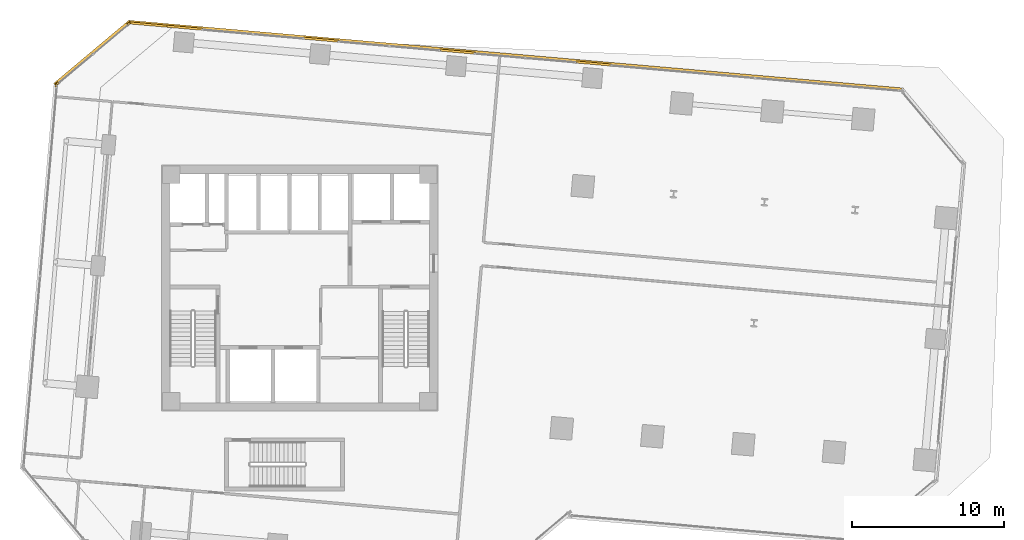
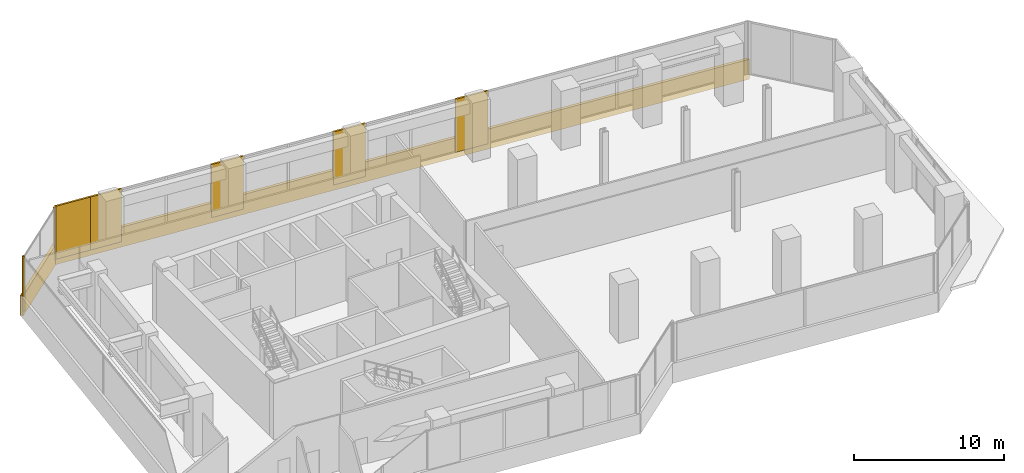
# One storey, part 24 of 24: 10 coverings.
"""IFC4 building model written with IfcOpenShell, lengths in metres."""

from ifc_helpers import new_model, si_unit, direction, frame, origin, origin_2d, place, context, subcontext, project, spatial, rectangle, extrude, source, transform, mapped, material, layer, layer_set, type_object, element, save


model = new_model("IFC4")

# Units and contexts
model_context = context("Model", 3, precision=1e-05, world=origin(), true_north=direction((0.0, 1.0)))
body_context = subcontext(model_context, "Body", "Model", "MODEL_VIEW")
ifc_project = project(units=[si_unit("LENGTHUNIT", "METRE"), si_unit("AREAUNIT", "SQUARE_METRE"), si_unit("VOLUMEUNIT", "CUBIC_METRE"), si_unit("PLANEANGLEUNIT", "RADIAN"), si_unit("MASSUNIT", "GRAM", prefix="KILO")], contexts=[model_context])

# Site, building, storey
site_placement = place(None, origin())
site = spatial("IfcSite", under=ifc_project, at=site_placement, CompositionType="ELEMENT")
building_placement = place(site_placement, origin())
building = spatial("IfcBuilding", under=site, at=building_placement, Name="Torre Montelarca", CompositionType="ELEMENT")
storey_placement = place(building_placement, frame((0.0, 0.0, 47.199951171875)))
storey = spatial("IfcBuildingStorey", under=building, at=storey_placement, Name="L10", CompositionType="ELEMENT", Elevation=47.199951171875)

# Coverings
ifc_material = material(Name="Bush-hammered warm white precast concrete C45/55", Category="concrete")
ifc_layer = layer(ifc_material, 0.139892578125, Name="Bush-hammered warm white precast concrete C45/55", Category="concrete")
ifc_layer_set = layer_set([ifc_layer], Name="Bush-hammered warm white precast concrete C45/55")
covering_type = type_object("IfcCoveringType", Name="COV-TRAY-CLAD", PredefinedType="CLADDING", material=ifc_layer_set)
shared_shape_1 = source(origin(), body_context, "Body", "SweptSolid", [
    extrude(rectangle(XDim=2.360107421875, YDim=0.139892578125, at=origin_2d()), origin(), (0.0, 0.0, 1.0), 4.320068359375),
])
for number, where, z_axis, x_axis, name in (
    (1, (37.348876953125, 46.784912109375, 0.0), (0.0, 0.0, 1.0), (-0.996194545975, 0.087157481435, 0.0), "L10 Architectural Column Pier Cladding E08-2"),
    (2, (28.38330078125, 47.5693359375, 0.0), (0.0, 0.0, 1.0), (-0.996194545975, 0.087157481435, 0.0), "L10 Architectural Column Pier Cladding E08-3"),
    (3, (19.41748046875, 48.353759765625, 0.0), (0.0, 0.0, 1.0), (-0.996194545975, 0.087157481435, 0.0), "L10 Architectural Column Pier Cladding E08-4"),
    (4, (10.45166015625, 49.13818359375, 0.0), (0.0, 0.0, 1.0), (-0.996194545975, 0.087157481435, 0.0), "L10 Architectural Column Pier Cladding E08-5"),
):
    element("IfcCovering", number, at=place(storey_placement, frame(where, z_axis=z_axis, x_axis=x_axis)), inside=storey, type_object=covering_type, Name=name, PredefinedType="CLADDING", context=body_context, shape_type="MappedRepresentation", body=[
        mapped(shared_shape_1, transform((0.0, 0.0, 0.0), scale=1.0)),
    ])
shared_shape_2 = source(origin(), body_context, "Body", "SweptSolid", [
    extrude(rectangle(XDim=0.199951171875, YDim=0.139892578125, at=origin_2d()), origin(), (0.0, 0.0, 1.0), 4.320068359375),
])
for number, where, z_axis, x_axis, name in (
    (5, (6.74267578125, 49.406982421875, 0.0), (0.0, 0.0, 1.0), (-0.76603883371, -0.642794294661, 0.0), "L10 Architectural Column Pier Cladding E09-1"),
    (6, (2.045166015625, 45.465087890625, 0.0), (0.0, 0.0, 1.0), (-0.76603883371, -0.642794294661, 0.0), "L10 Architectural Column Pier Cladding E09-2"),
    (7, (1.97802734375, 45.336181640625, 0.0), (0.0, 0.0, 1.0), (-0.08716095881, -0.996194241732, 0.0), "L10 Architectural Column Pier Cladding E10-1"),
):
    element("IfcCovering", number, at=place(storey_placement, frame(where, z_axis=z_axis, x_axis=x_axis)), inside=storey, type_object=covering_type, Name=name, PredefinedType="CLADDING", context=body_context, shape_type="MappedRepresentation", body=[
        mapped(shared_shape_2, transform((0.0, 0.0, 0.0), scale=1.0)),
    ])
shared_shape_3 = source(origin(), body_context, "Body", "SweptSolid", [
    extrude(rectangle(XDim=6.48388671875, YDim=0.219970703125, at=origin_2d()), origin(), (0.0, 0.0, 1.0), 1.6201171875),
])
covering_1_placement = place(storey_placement, frame((4.355224609375, 47.48193359375, -0.449951171875), z_axis=(0.0, 0.0, 1.0), x_axis=(-0.766044443119, -0.642787609687, 0.0)))
element("IfcCovering", 8, at=covering_1_placement, inside=storey, type_object=covering_type, Name="L10 Architectural White Spandrel Tray Band TRYBOT-09", PredefinedType="CLADDING", context=body_context, shape_type="MappedRepresentation", body=[
    mapped(shared_shape_3, transform((0.0, 0.0, 0.0), scale=1.0)),
])
shared_shape_4 = source(origin(), body_context, "Body", "SweptSolid", [
    extrude(rectangle(XDim=51.219970703125, YDim=0.219970703125, at=origin_2d()), origin(), (0.0, 0.0, 1.0), 1.6201171875),
])
covering_2_placement = place(storey_placement, frame((32.2236328125, 47.293701171875, -0.449951171875), z_axis=(0.0, 0.0, 1.0), x_axis=(-0.996194545975, 0.087157481435, 0.0)))
element("IfcCovering", 9, at=covering_2_placement, inside=storey, type_object=covering_type, Name="L10 Architectural White Spandrel Tray Band TRYBOT-08", PredefinedType="CLADDING", context=body_context, shape_type="MappedRepresentation", body=[
    mapped(shared_shape_4, transform((0.0, 0.0, 0.0), scale=1.0)),
])
shared_shape_5 = source(origin(), body_context, "Body", "SweptSolid", [
    extrude(rectangle(XDim=2.60400390625, YDim=0.139892578125, at=origin_2d()), origin(), (0.0, 0.0, 1.0), 4.320068359375),
])
covering_3_placement = place(storey_placement, frame((8.07861328125, 49.345703125, 0.0), z_axis=(0.0, 0.0, 1.0), x_axis=(-0.996194545975, 0.087157481435, 0.0)))
element("IfcCovering", 10, at=covering_3_placement, inside=storey, type_object=covering_type, Name="L10 Architectural Column Pier Cladding E08-6", PredefinedType="CLADDING", context=body_context, shape_type="MappedRepresentation", body=[
    mapped(shared_shape_5, transform((0.0, 0.0, 0.0), scale=1.0)),
])

save(model, "model.ifc")
